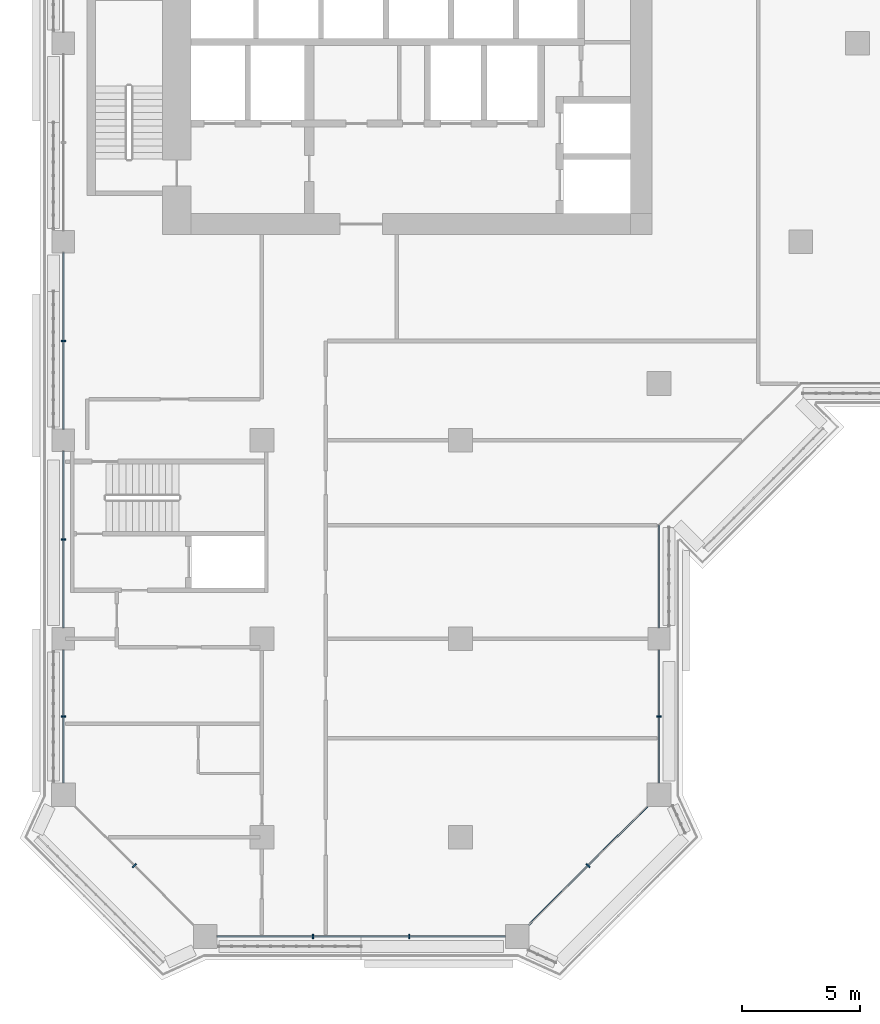
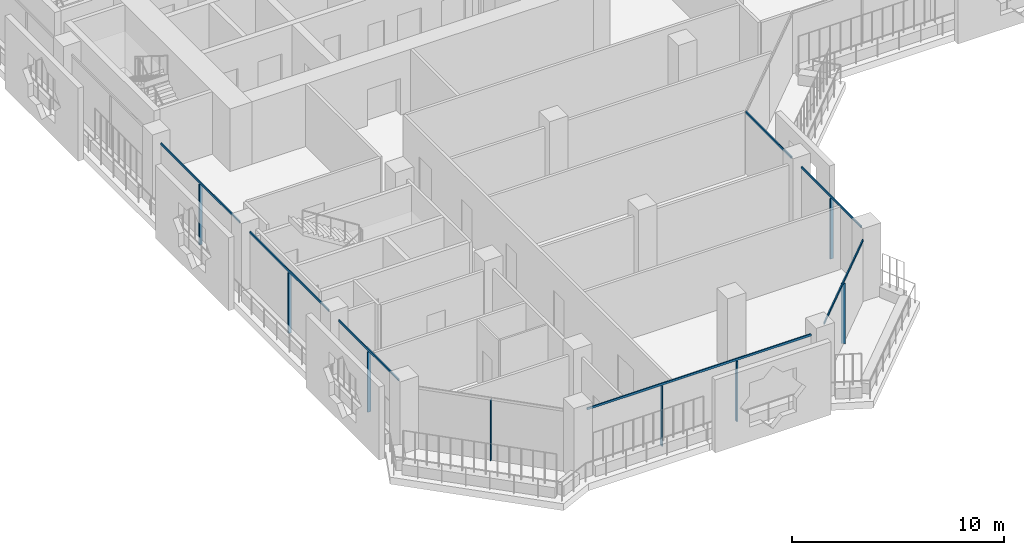
# One storey, part 2 of 21: 15 members, 5 elements without a shape of their own.
"""IFC4 building model written with IfcOpenShell, lengths in metres."""

from ifc_helpers import new_model, si_unit, direction, frame, origin, origin_2d, place, context, subcontext, project, spatial, rectangle, extrude, material, layer, layer_set, material_profile, profile_set, type_object, element, aggregate, save


model = new_model("IFC4")

# Units and contexts
model_context = context("Model", 3, precision=1e-05, world=origin(), true_north=direction((0.0, 1.0)))
body_context = subcontext(model_context, "Body", "Model", "MODEL_VIEW")
ifc_project = project(units=[si_unit("LENGTHUNIT", "METRE"), si_unit("AREAUNIT", "SQUARE_METRE"), si_unit("VOLUMEUNIT", "CUBIC_METRE"), si_unit("PLANEANGLEUNIT", "RADIAN"), si_unit("MASSUNIT", "GRAM", prefix="KILO")], contexts=[model_context])

# Site, building, storey
site_placement = place(None, origin())
site = spatial("IfcSite", under=ifc_project, at=site_placement, CompositionType="ELEMENT")
building_placement = place(site_placement, origin())
building = spatial("IfcBuilding", under=site, at=building_placement, Name="Kawkab Arch Medical Tower", CompositionType="ELEMENT")
storey_placement = place(building_placement, frame((0.0, 0.0, 200.39990234375)))
storey = spatial("IfcBuildingStorey", under=building, at=storey_placement, Name="L46", CompositionType="ELEMENT", Elevation=200.39990234375)

# Curtain wall, members
ifc_material_1 = material(Name="Bronze anodised aluminium curtain wall frame", Category="aluminium")
ifc_layer_1 = layer(ifc_material_1, 0.159912109375)
ifc_layer_set_1 = layer_set([ifc_layer_1], Name="Bronze anodised aluminium curtain wall frame")
curtain_wall_type_1 = type_object("IfcCurtainWallType", Name="CW1 ward curtain wall", PredefinedType="NOTDEFINED", material=ifc_layer_set_1)
placement = place(storey_placement, origin())
curtain_wall_1 = element("IfcCurtainWall", 1, at=placement, inside=storey, type_object=curtain_wall_type_1, Name="CW1 Ward curtain wall R01", PredefinedType="NOTDEFINED")
ifc_material_2 = material(Name="Bronze anodised aluminium curtain wall frame", Category="aluminium")
ifc_material_profile_1 = material_profile(ifc_material_2, rectangle(XDim=0.179931640625, YDim=0.06005859375, at=origin_2d()), Name="AL 60x180")
ifc_profile_set_1 = profile_set([ifc_material_profile_1], Name="Bronze anodised aluminium curtain wall frame")
member_type_1 = type_object("IfcMemberType", Name="CW1 mullion 60 x 180", PredefinedType="MULLION", material=ifc_profile_set_1)
member_1_placement = place(storey_placement, frame((0.0, -29.39990234375, 0.0), z_axis=(0.0, 0.0, 1.0), x_axis=(1.0, 0.0, 0.0)))
member_1 = element("IfcMember", 2, at=member_1_placement, type_object=member_type_1, Name="CW1 mullion 3.1", PredefinedType="MULLION", context=body_context, shape_type="SweptSolid", body=[
    extrude(rectangle(XDim=0.179931640625, YDim=0.06005859375, at=origin_2d()), origin(), (0.0, 0.0, 1.0), 3.47998046875),
])
member_2_placement = place(storey_placement, frame((0.0, -37.800048828125, 0.0), z_axis=(0.0, 0.0, 1.0), x_axis=(1.0, 0.0, 0.0)))
member_2 = element("IfcMember", 3, at=member_2_placement, type_object=member_type_1, Name="CW1 mullion 4.1", PredefinedType="MULLION", context=body_context, shape_type="SweptSolid", body=[
    extrude(rectangle(XDim=0.179931640625, YDim=0.06005859375, at=origin_2d()), origin(), (0.0, 0.0, 1.0), 3.47998046875),
])
member_3_placement = place(storey_placement, frame((0.0, -45.28759765625, 0.0), z_axis=(0.0, 0.0, 1.0), x_axis=(1.0, 0.0, 0.0)))
member_3 = element("IfcMember", 4, at=member_3_placement, type_object=member_type_1, Name="CW1 mullion 5.1", PredefinedType="MULLION", context=body_context, shape_type="SweptSolid", body=[
    extrude(rectangle(XDim=0.179931640625, YDim=0.06005859375, at=origin_2d()), origin(), (0.0, 0.0, 1.0), 3.47998046875),
])

curtain_wall_2 = element("IfcCurtainWall", 5, at=placement, inside=storey, type_object=curtain_wall_type_1, Name="CW1 Ward curtain wall R03", PredefinedType="NOTDEFINED")
member_4_placement = place(storey_placement, frame((10.566650390625, -54.60009765625, 0.0), z_axis=(0.0, 0.0, 1.0), x_axis=(0.0, 1.0, 0.0)))
member_4 = element("IfcMember", 6, at=member_4_placement, type_object=member_type_1, Name="CW1 mullion 1.1", PredefinedType="MULLION", context=body_context, shape_type="SweptSolid", body=[
    extrude(rectangle(XDim=0.179931640625, YDim=0.06005859375, at=origin_2d()), origin(), (0.0, 0.0, 1.0), 3.47998046875),
])
member_5_placement = place(storey_placement, frame((14.63330078125, -54.60009765625, 0.0), z_axis=(0.0, 0.0, 1.0), x_axis=(0.0, 1.0, 0.0)))
member_5 = element("IfcMember", 7, at=member_5_placement, type_object=member_type_1, Name="CW1 mullion 1.2", PredefinedType="MULLION", context=body_context, shape_type="SweptSolid", body=[
    extrude(rectangle(XDim=0.179931640625, YDim=0.06005859375, at=origin_2d()), origin(), (0.0, 0.0, 1.0), 3.47998046875),
])

# Curtain wall, member
curtain_wall_3 = element("IfcCurtainWall", 8, at=placement, inside=storey, type_object=curtain_wall_type_1, Name="CW1 Ward curtain wall R05", PredefinedType="NOTDEFINED")
member_6_placement = place(storey_placement, frame((25.199951171875, -45.28759765625, 0.0), z_axis=(0.0, 0.0, 1.0), x_axis=(-1.0, 0.0, 0.0)))
member_6 = element("IfcMember", 9, at=member_6_placement, type_object=member_type_1, Name="CW1 mullion 1.1", PredefinedType="MULLION", context=body_context, shape_type="SweptSolid", body=[
    extrude(rectangle(XDim=0.179931640625, YDim=0.06005859375, at=origin_2d()), origin(), (0.0, 0.0, 1.0), 3.47998046875),
])

# Member
ifc_material_3 = material(Name="Bronze anodised aluminium curtain wall frame", Category="aluminium")
ifc_material_profile_2 = material_profile(ifc_material_3, rectangle(XDim=0.06005859375, YDim=0.1201171875, at=origin_2d()), Name="AL 60x120")
ifc_profile_set_2 = profile_set([ifc_material_profile_2], Name="Bronze anodised aluminium curtain wall frame")
member_type_2 = type_object("IfcMemberType", Name="CW1 transom 120 x 60", PredefinedType="USERDEFINED", material=ifc_profile_set_2)
member_7_placement = place(storey_placement, frame((0.0, -25.675048828125, 3.5400390625), z_axis=(0.0, -1.0, 0.0), x_axis=(1.0, 0.0, 0.0)))
member_7 = element("IfcMember", 10, at=member_7_placement, type_object=member_type_2, Name="CW1 transom 3", ObjectType="TRANSOM", PredefinedType="USERDEFINED", context=body_context, shape_type="SweptSolid", body=[
    extrude(rectangle(XDim=0.06005859375, YDim=0.1201171875, at=origin_2d()), origin(), (0.0, 0.0, 1.0), 7.449951171875),
])

member_8_placement = place(storey_placement, frame((0.0, -34.074951171875, 3.5400390625), z_axis=(0.0, -1.0, 0.0), x_axis=(1.0, 0.0, 0.0)))
member_8 = element("IfcMember", 11, at=member_8_placement, type_object=member_type_2, Name="CW1 transom 4", ObjectType="TRANSOM", PredefinedType="USERDEFINED", context=body_context, shape_type="SweptSolid", body=[
    extrude(rectangle(XDim=0.06005859375, YDim=0.1201171875, at=origin_2d()), origin(), (0.0, 0.0, 1.0), 7.449951171875),
])

member_9_placement = place(storey_placement, frame((0.0, -42.47509765625, 3.5400390625), z_axis=(0.0, -1.0, 0.0), x_axis=(1.0, 0.0, 0.0)))
member_9 = element("IfcMember", 12, at=member_9_placement, type_object=member_type_2, Name="CW1 transom 5", ObjectType="TRANSOM", PredefinedType="USERDEFINED", context=body_context, shape_type="SweptSolid", body=[
    extrude(rectangle(XDim=0.06005859375, YDim=0.1201171875, at=origin_2d()), origin(), (0.0, 0.0, 1.0), 5.625),
])

aggregate(curtain_wall_1, [member_7, member_1, member_8, member_2, member_9, member_3])

member_10_placement = place(storey_placement, frame((6.5, -54.60009765625, 3.5400390625), z_axis=(1.0, 0.0, 0.0), x_axis=(0.0, 1.0, 0.0)))
member_10 = element("IfcMember", 13, at=member_10_placement, type_object=member_type_2, Name="CW1 transom 1", ObjectType="TRANSOM", PredefinedType="USERDEFINED", context=body_context, shape_type="SweptSolid", body=[
    extrude(rectangle(XDim=0.06005859375, YDim=0.1201171875, at=origin_2d()), origin(), (0.0, 0.0, 1.0), 12.199951171875),
])

aggregate(curtain_wall_2, [member_10, member_4, member_5])

member_11_placement = place(storey_placement, frame((25.199951171875, -48.10009765625, 3.5400390625), z_axis=(0.0, 1.0, 0.0), x_axis=(-1.0, 0.0, 0.0)))
member_11 = element("IfcMember", 14, at=member_11_placement, type_object=member_type_2, Name="CW1 transom 1", ObjectType="TRANSOM", PredefinedType="USERDEFINED", context=body_context, shape_type="SweptSolid", body=[
    extrude(rectangle(XDim=0.06005859375, YDim=0.1201171875, at=origin_2d()), origin(), (0.0, 0.0, 1.0), 5.625),
])

member_12_placement = place(storey_placement, frame((25.199951171875, -41.52490234375, 3.5400390625), z_axis=(0.0, 1.0, 0.0), x_axis=(-1.0, 0.0, 0.0)))
member_12 = element("IfcMember", 15, at=member_12_placement, type_object=member_type_2, Name="CW1 transom 2", ObjectType="TRANSOM", PredefinedType="USERDEFINED", context=body_context, shape_type="SweptSolid", body=[
    extrude(rectangle(XDim=0.06005859375, YDim=0.1201171875, at=origin_2d()), origin(), (0.0, 0.0, 1.0), 4.324951171875),
])

aggregate(curtain_wall_3, [member_11, member_6, member_12])

# Curtain wall, member
ifc_material_4 = material(Name="Bronze anodised aluminium curtain wall frame", Category="aluminium")
ifc_layer_2 = layer(ifc_material_4, 0.159912109375)
ifc_layer_set_2 = layer_set([ifc_layer_2], Name="Bronze anodised aluminium curtain wall frame")
curtain_wall_type_2 = type_object("IfcCurtainWallType", Name="CW2 chamfer curtain wall", PredefinedType="NOTDEFINED", material=ifc_layer_set_2)
curtain_wall_4 = element("IfcCurtainWall", 16, at=placement, inside=storey, type_object=curtain_wall_type_2, Name="CW2 Chamfer curtain wall R02", PredefinedType="NOTDEFINED")
ifc_material_5 = material(Name="Bronze anodised aluminium curtain wall frame", Category="aluminium")
ifc_material_profile_3 = material_profile(ifc_material_5, rectangle(XDim=0.199951171875, YDim=0.06005859375, at=origin_2d()), Name="AL 60x200")
ifc_profile_set_3 = profile_set([ifc_material_profile_3], Name="Bronze anodised aluminium curtain wall frame")
member_type_3 = type_object("IfcMemberType", Name="CW2 mullion 60 x 200", PredefinedType="MULLION", material=ifc_profile_set_3)
member_13_placement = place(storey_placement, frame((3.0, -51.60009765625, 0.0), z_axis=(0.0, 0.0, 1.0), x_axis=(0.707106781187, 0.707106781187, 0.0)))
member_13 = element("IfcMember", 17, at=member_13_placement, type_object=member_type_3, Name="CW2 mullion 1.1", PredefinedType="MULLION", context=body_context, shape_type="SweptSolid", body=[
    extrude(rectangle(XDim=0.199951171875, YDim=0.06005859375, at=origin_2d()), origin(), (0.0, 0.0, 1.0), 3.460205078125),
])
aggregate(curtain_wall_4, [member_13])

# Curtain wall, members
curtain_wall_5 = element("IfcCurtainWall", 18, at=placement, inside=storey, type_object=curtain_wall_type_2, Name="CW2 Chamfer curtain wall R04", PredefinedType="NOTDEFINED")
member_14_placement = place(storey_placement, frame((22.199951171875, -51.60009765625, 0.0), z_axis=(0.0, 0.0, 1.0), x_axis=(-0.707106781187, 0.707106781187, 0.0)))
member_14 = element("IfcMember", 19, at=member_14_placement, type_object=member_type_3, Name="CW2 mullion 1.1", PredefinedType="MULLION", context=body_context, shape_type="SweptSolid", body=[
    extrude(rectangle(XDim=0.199951171875, YDim=0.06005859375, at=origin_2d()), origin(), (0.0, 0.0, 1.0), 3.460205078125),
])
ifc_material_6 = material(Name="Bronze anodised aluminium curtain wall frame", Category="aluminium")
ifc_material_profile_4 = material_profile(ifc_material_6, rectangle(XDim=0.06005859375, YDim=0.139892578125, at=origin_2d()), Name="AL 60x140")
ifc_profile_set_4 = profile_set([ifc_material_profile_4], Name="Bronze anodised aluminium curtain wall frame")
member_type_4 = type_object("IfcMemberType", Name="CW2 transom 140 x 60", PredefinedType="USERDEFINED", material=ifc_profile_set_4)
member_15_placement = place(storey_placement, frame((19.699951171875, -54.10009765625, 3.530029296875), z_axis=(0.707106781187, 0.707106781187, 0.0), x_axis=(-0.707106781187, 0.707106781187, 0.0)))
member_15 = element("IfcMember", 20, at=member_15_placement, type_object=member_type_4, Name="CW2 transom 1", ObjectType="TRANSOM", PredefinedType="USERDEFINED", context=body_context, shape_type="SweptSolid", body=[
    extrude(rectangle(XDim=0.06005859375, YDim=0.139892578125, at=origin_2d()), origin(), (0.0, 0.0, 1.0), 7.071044921875),
])
aggregate(curtain_wall_5, [member_15, member_14])

save(model, "model.ifc")
